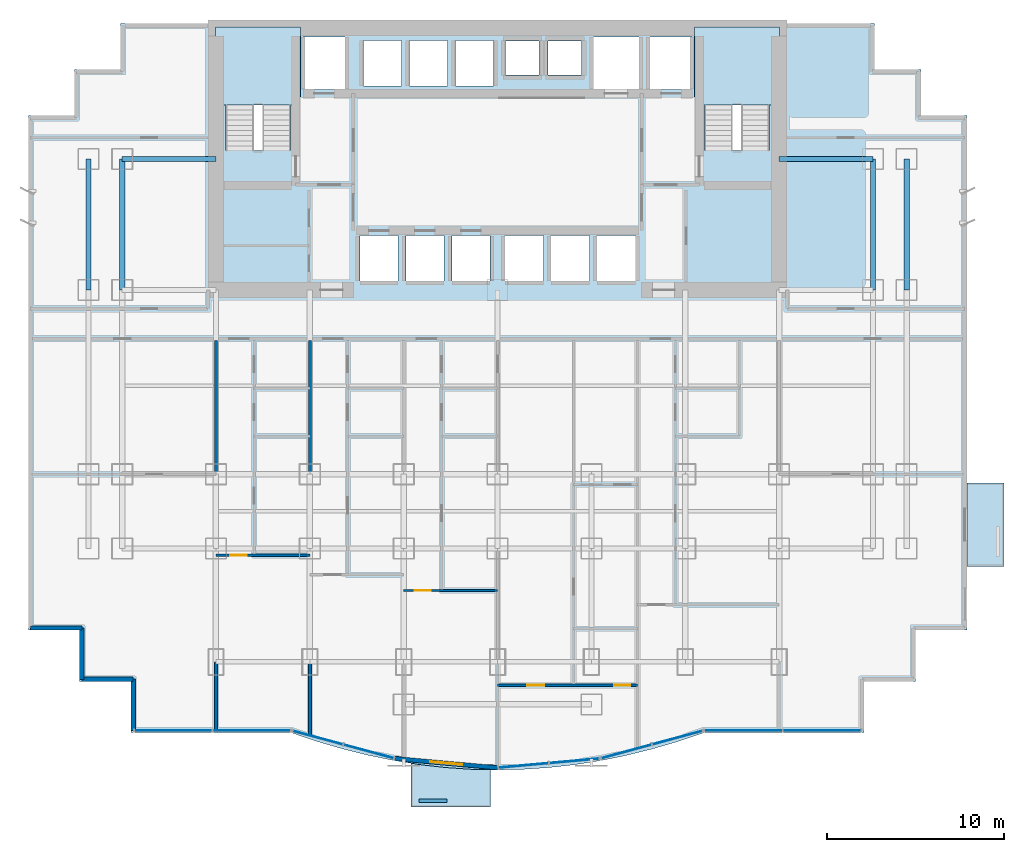
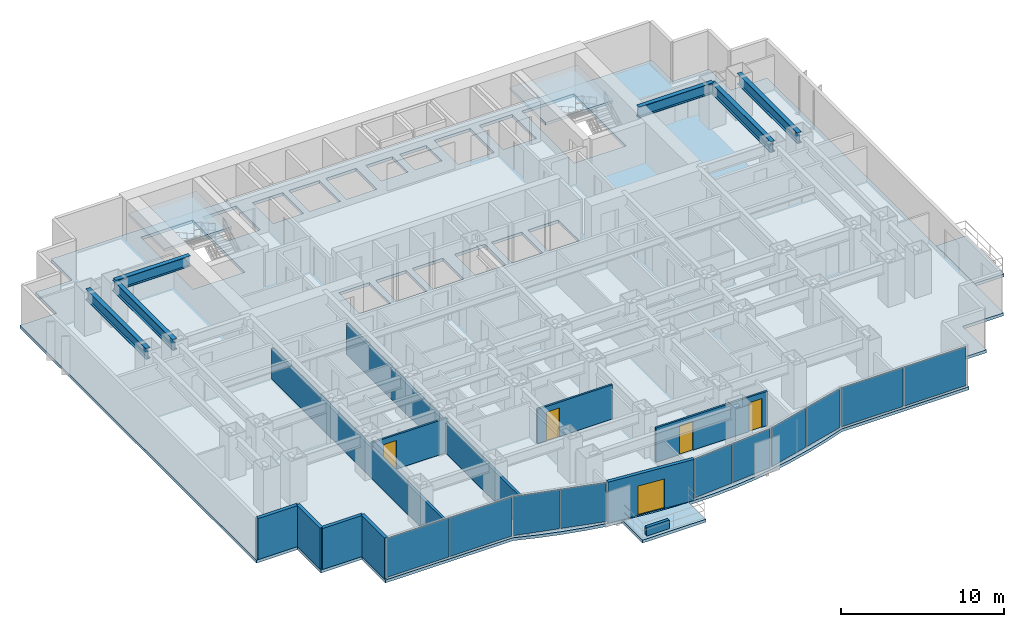
# One storey, part 4 of 10: 11 walls, 10 plates, 6 beams, 5 doors, 5 slabs, 5 openings, 7 elements without a shape of their own.
"""IFC4 building model written with IfcOpenShell, lengths in metres."""

from ifc_helpers import new_model, si_unit, direction, frame, frame_2d, origin, origin_2d, place, context, subcontext, project, spatial, polyline, rectangle, i_section, outline, extrude, source, transform, mapped, material, layer, layer_set, material_profile, profile_set, type_object, element, fill, aggregate, save


model = new_model("IFC4")

# Units and contexts
model_context = context("Model", 3, precision=1e-05, world=origin(), true_north=direction((0.0, 1.0)))
body_context = subcontext(model_context, "Body", "Model", "MODEL_VIEW")
ifc_project = project(units=[si_unit("LENGTHUNIT", "METRE"), si_unit("AREAUNIT", "SQUARE_METRE"), si_unit("VOLUMEUNIT", "CUBIC_METRE"), si_unit("PLANEANGLEUNIT", "RADIAN"), si_unit("MASSUNIT", "GRAM", prefix="KILO")], contexts=[model_context])

# Site, building, storey
site_placement = place(None, origin())
site = spatial("IfcSite", under=ifc_project, at=site_placement, CompositionType="ELEMENT")
building_placement = place(site_placement, origin())
building = spatial("IfcBuilding", under=site, at=building_placement, Name="Qianlan Lanfeng Residences", CompositionType="ELEMENT")
storey_placement = place(building_placement, frame((0.0, 0.0, 34.10009765625)))
storey = spatial("IfcBuildingStorey", under=building, at=storey_placement, Name="L08", CompositionType="ELEMENT", Elevation=34.10009765625)

# Beams
ifc_material_1 = material(Name="Steel SN490B", Category="steel")
ifc_material_profile = material_profile(ifc_material_1, i_section(OverallWidth=0.300048828125, OverallDepth=0.800048828125, WebThickness=0.01611328125, FlangeThickness=0.028076171875, at=origin_2d()), Name="H 800x300x16x28")
ifc_profile_set = profile_set([ifc_material_profile], Name="Steel SN490B")
beam_type = type_object("IfcBeamType", Name="G-950", PredefinedType="BEAM", material=ifc_profile_set)
for number, where, z_axis, x_axis, name in (
    (1, (5.300048828125, 32.60009765625, 2.679931640625), (1.0, 0.0, 0.0), (0.0, 1.0, 0.0), "Structural beam G-950"),
    (2, (42.39990234375, 32.60009765625, 2.679931640625), (1.0, 0.0, 0.0), (0.0, 1.0, 0.0), "Structural beam G-950"),
):
    element("IfcBeam", number, at=place(storey_placement, frame(where, z_axis=z_axis, x_axis=x_axis)), inside=storey, type_object=beam_type, Name=name, PredefinedType="BEAM", context=body_context, shape_type="SweptSolid", body=[
        extrude(i_section(OverallWidth=0.300048828125, OverallDepth=0.800048828125, WebThickness=0.01611328125, FlangeThickness=0.028076171875, at=origin_2d()), origin(), (0.0, 0.0, 1.0), 5.300048828125),
    ])
for number, where, z_axis, x_axis, name in (
    (3, (3.39990234375, 25.199951171875, 2.679931640625), (0.0, 1.0, 0.0), (-1.0, 0.0, 0.0), "Structural beam G-950"),
    (4, (5.300048828125, 25.199951171875, 2.679931640625), (0.0, 1.0, 0.0), (-1.0, 0.0, 0.0), "Structural beam G-950"),
    (5, (47.699951171875, 25.199951171875, 2.679931640625), (0.0, 1.0, 0.0), (-1.0, 0.0, 0.0), "Structural beam G-950"),
    (6, (49.60009765625, 25.199951171875, 2.679931640625), (0.0, 1.0, 0.0), (-1.0, 0.0, 0.0), "Structural beam G-950"),
):
    element("IfcBeam", number, at=place(storey_placement, frame(where, z_axis=z_axis, x_axis=x_axis)), inside=storey, type_object=beam_type, Name=name, PredefinedType="BEAM", context=body_context, shape_type="SweptSolid", body=[
        extrude(i_section(OverallWidth=0.300048828125, OverallDepth=0.800048828125, WebThickness=0.01611328125, FlangeThickness=0.028076171875, at=origin_2d()), origin(), (0.0, 0.0, 1.0), 7.400146484375),
    ])

# Slabs
ifc_material_2 = material(Name="Concrete C42", Category="concrete")
ifc_layer_1 = layer(ifc_material_2, 0.219970703125)
ifc_layer_set_1 = layer_set([ifc_layer_1], Name="Concrete C42")
slab_type_1 = type_object("IfcSlabType", Name="S-BAL-220", PredefinedType="FLOOR", material=ifc_layer_set_1)
slab_1_placement = place(storey_placement, frame((0.0, 0.0, -0.22021484375)))
element("IfcSlab", 7, at=slab_1_placement, inside=storey, type_object=slab_type_1, Name="L08 Planted Tree Balcony Slab SB-C", PredefinedType="FLOOR", context=body_context, shape_type="SweptSolid", body=[
    extrude(outline(polyline([(26.10009765625, -1.89111328125), (25.0439453125, -1.866943359375), (23.5869140625, -1.76904296875), (22.131103515625, -1.60498046875), (21.60009765625, -1.52099609375), (21.60009765625, -4.0), (26.10009765625, -4.0), (26.10009765625, -1.89111328125)])), origin(), (0.0, 0.0, 1.0), 0.22021484375),
])
slab_2_placement = place(storey_placement, frame((0.0, 0.0, -0.22021484375)))
element("IfcSlab", 8, at=slab_2_placement, inside=storey, type_object=slab_type_1, Name="L08 Planted Tree Balcony Slab EB-S", PredefinedType="FLOOR", context=body_context, shape_type="SweptSolid", body=[
    extrude(outline(polyline([(53.0, 14.300048828125), (53.0, 9.60009765625), (55.10009765625, 9.60009765625), (55.10009765625, 14.300048828125), (53.0, 14.300048828125)])), origin(), (0.0, 0.0, 1.0), 0.22021484375),
])
ifc_layer_2 = layer(ifc_material_2, 0.219970703125)
ifc_layer_set_2 = layer_set([ifc_layer_2], Name="Concrete C42")
slab_type_2 = type_object("IfcSlabType", Name="S-FL-220", PredefinedType="FLOOR", material=ifc_layer_set_2)
slab_3_placement = place(storey_placement, frame((0.0, 0.0, -0.22021484375)))
element("IfcSlab", 9, at=slab_3_placement, inside=storey, type_object=slab_type_2, Name="L08 Structural Floor Slab", PredefinedType="FLOOR", context=body_context, shape_type="SweptSolid", body=[
    extrude(outline(polyline([(0.0, 6.0), (2.89990234375, 6.0), (2.89990234375, 3.10009765625), (5.800048828125, 3.10009765625), (5.800048828125, 0.199951171875), (14.85009765625, 0.199951171875), (16.305908203125, -0.2919921875), (17.761962890625, -0.718994140625), (19.218994140625, -1.080078125), (20.675048828125, -1.375), (22.131103515625, -1.60498046875), (23.5869140625, -1.76904296875), (25.0439453125, -1.866943359375), (26.5, -1.89990234375), (27.9560546875, -1.866943359375), (29.412109375, -1.76904296875), (30.868896484375, -1.60498046875), (32.324951171875, -1.375), (33.781005859375, -1.080078125), (35.237060546875, -0.718994140625), (36.694091796875, -0.2919921875), (38.14990234375, 0.199951171875), (47.199951171875, 0.199951171875), (47.199951171875, 3.10009765625), (50.10009765625, 3.10009765625), (50.10009765625, 6.0), (53.0, 6.0), (53.0, 35.050048828125), (50.39990234375, 35.050048828125), (50.39990234375, 37.64990234375), (47.800048828125, 37.64990234375), (47.800048828125, 40.25), (5.199951171875, 40.25), (5.199951171875, 37.64990234375), (2.60009765625, 37.64990234375), (2.60009765625, 35.050048828125), (0.0, 35.050048828125), (0.0, 6.0)]), holes=[polyline([(11.139892578125, 33.080078125), (11.139892578125, 39.5), (14.820068359375, 39.5), (14.820068359375, 33.080078125), (11.139892578125, 33.080078125)]), polyline([(38.179931640625, 33.080078125), (38.179931640625, 39.5), (41.860107421875, 39.5), (41.860107421875, 33.080078125), (38.179931640625, 33.080078125)]), polyline([(15.52001953125, 36.52001953125), (15.52001953125, 39.47998046875), (17.8798828125, 39.47998046875), (17.8798828125, 36.52001953125), (15.52001953125, 36.52001953125)]), polyline([(35.1201171875, 36.52001953125), (35.1201171875, 39.47998046875), (37.47998046875, 39.47998046875), (37.47998046875, 36.52001953125), (35.1201171875, 36.52001953125)]), polyline([(31.919921875, 36.52001953125), (31.919921875, 39.47998046875), (34.47998046875, 39.47998046875), (34.47998046875, 36.52001953125), (31.919921875, 36.52001953125)]), polyline([(18.719970703125, 25.719970703125), (18.719970703125, 28.280029296875), (20.8798828125, 28.280029296875), (20.8798828125, 25.719970703125), (18.719970703125, 25.719970703125)]), polyline([(21.320068359375, 25.719970703125), (21.320068359375, 28.280029296875), (23.47998046875, 28.280029296875), (23.47998046875, 25.719970703125), (21.320068359375, 25.719970703125)]), polyline([(23.919921875, 25.719970703125), (23.919921875, 28.280029296875), (26.080078125, 28.280029296875), (26.080078125, 25.719970703125), (23.919921875, 25.719970703125)]), polyline([(26.919921875, 25.719970703125), (26.919921875, 28.280029296875), (29.080078125, 28.280029296875), (29.080078125, 25.719970703125), (26.919921875, 25.719970703125)]), polyline([(29.52001953125, 25.719970703125), (29.52001953125, 28.280029296875), (31.679931640625, 28.280029296875), (31.679931640625, 25.719970703125), (29.52001953125, 25.719970703125)]), polyline([(32.1201171875, 25.719970703125), (32.1201171875, 28.280029296875), (34.280029296875, 28.280029296875), (34.280029296875, 25.719970703125), (32.1201171875, 25.719970703125)]), polyline([(18.919921875, 36.719970703125), (18.919921875, 39.280029296875), (21.080078125, 39.280029296875), (21.080078125, 36.719970703125), (18.919921875, 36.719970703125)]), polyline([(21.52001953125, 36.719970703125), (21.52001953125, 39.280029296875), (23.679931640625, 39.280029296875), (23.679931640625, 36.719970703125), (21.52001953125, 36.719970703125)]), polyline([(24.1201171875, 36.719970703125), (24.1201171875, 39.280029296875), (26.280029296875, 39.280029296875), (26.280029296875, 36.719970703125), (24.1201171875, 36.719970703125)]), polyline([(26.949951171875, 37.35009765625), (26.949951171875, 39.25), (28.85009765625, 39.25), (28.85009765625, 37.35009765625), (26.949951171875, 37.35009765625)]), polyline([(29.35009765625, 37.35009765625), (29.35009765625, 39.25), (31.25, 39.25), (31.25, 37.35009765625), (29.35009765625, 37.35009765625)])]), origin(), (0.0, 0.0, 1.0), 0.22021484375),
])

# Stair, slab
stair_type = type_object("IfcStairType", Name="STR-MAIN", PredefinedType="HALF_TURN_STAIR", material=ifc_material_2)
stair_1_placement = place(storey_placement, origin())
stair_1 = element("IfcStair", 10, at=stair_1_placement, inside=storey, type_object=stair_type, Name="L08 Exit Stair ST-1", PredefinedType="HALF_TURN_STAIR")
ifc_layer_3 = layer(ifc_material_2, 0.179931640625)
ifc_layer_set_3 = layer_set([ifc_layer_3], Name="Concrete C42")
slab_type_3 = type_object("IfcSlabType", Name="S-LND-180", PredefinedType="LANDING", material=ifc_layer_set_3)
slab_4_placement = place(storey_placement, frame((0.0, 0.0, 1.449951171875)))
slab_4 = element("IfcSlab", 11, at=slab_4_placement, type_object=slab_type_3, Name="ST-1 landing 1", PredefinedType="LANDING", context=body_context, shape_type="SweptSolid", body=[
    extrude(outline(polyline([(10.580078125, 35.659912109375), (15.3798828125, 35.659912109375), (15.3798828125, 40.050048828125), (10.580078125, 40.050048828125), (10.580078125, 35.659912109375)])), origin(), (0.0, 0.0, 1.0), 0.199951171875),
])
aggregate(stair_1, [slab_4])

stair_2_placement = place(storey_placement, origin())
stair_2 = element("IfcStair", 12, at=stair_2_placement, inside=storey, type_object=stair_type, Name="L08 Exit Stair ST-2", PredefinedType="HALF_TURN_STAIR")
slab_5_placement = place(storey_placement, frame((0.0, 0.0, 1.449951171875)))
slab_5 = element("IfcSlab", 13, at=slab_5_placement, type_object=slab_type_3, Name="ST-2 landing 1", PredefinedType="LANDING", context=body_context, shape_type="SweptSolid", body=[
    extrude(outline(polyline([(37.6201171875, 35.659912109375), (42.419921875, 35.659912109375), (42.419921875, 40.050048828125), (37.6201171875, 40.050048828125), (37.6201171875, 35.659912109375)])), origin(), (0.0, 0.0, 1.0), 0.199951171875),
])
aggregate(stair_2, [slab_5])

# Curtain wall, plate
ifc_material_3 = material(Name="Anodised Bronze Aluminium 6063-T6", Category="aluminium")
ifc_layer_4 = layer(ifc_material_3, 0.219970703125)
ifc_layer_set_4 = layer_set([ifc_layer_4], Name="Anodised Bronze Aluminium 6063-T6")
curtain_wall_type = type_object("IfcCurtainWallType", Name="CW-02", PredefinedType="NOTDEFINED", material=ifc_layer_set_4)
curtain_wall_1_placement = place(storey_placement, origin())
curtain_wall_1 = element("IfcCurtainWall", 14, at=curtain_wall_1_placement, inside=storey, type_object=curtain_wall_type, Name="L08 Unitised Curtain Wall CWR-L08-02 (CW-02)", PredefinedType="NOTDEFINED")
ifc_material_4 = material(Name="Dark Bronze Tinted Insulated Glass", Category="glass")
ifc_layer_5 = layer(ifc_material_4, 0.0380859375)
ifc_layer_set_5 = layer_set([ifc_layer_5], Name="Dark Bronze Tinted Insulated Glass")
plate_type_1 = type_object("IfcPlateType", Name="PNL-GLZ-BRZ", PredefinedType="CURTAIN_PANEL", material=ifc_layer_set_5)
shared_shape_1 = source(origin(), body_context, "Body", "SweptSolid", [
    extrude(rectangle(XDim=2.89990234375, YDim=0.0380859375, at=origin_2d()), origin(), (0.0, 0.0, 1.0), 2.922119140625),
])
plate_1_placement = place(storey_placement, frame((16.345703125, -0.07958984375, 0.07861328125), z_axis=(0.0, 0.0, 1.0), x_axis=(0.9652627173, -0.261281240412, 0.0)))
plate_1 = element("IfcPlate", 15, at=plate_1_placement, type_object=plate_type_1, Name="CWR-L08-02 Curtain Panel 1", PredefinedType="CURTAIN_PANEL", context=body_context, shape_type="MappedRepresentation", body=[
    mapped(shared_shape_1, transform((0.0, 0.0, 0.0), scale=1.0)),
])

curtain_wall_2_placement = place(storey_placement, origin())
curtain_wall_2 = element("IfcCurtainWall", 16, at=curtain_wall_2_placement, inside=storey, type_object=curtain_wall_type, Name="L08 Unitised Curtain Wall CWR-L08-04 (CW-02)", PredefinedType="NOTDEFINED")
plate_2_placement = place(storey_placement, frame((33.77978515625, -0.857421875, 0.07861328125), z_axis=(0.0, 0.0, 1.0), x_axis=(0.9652627173, 0.261281240412, 0.0)))
plate_2 = element("IfcPlate", 17, at=plate_2_placement, type_object=plate_type_1, Name="CWR-L08-04 Curtain Panel 1", PredefinedType="CURTAIN_PANEL", context=body_context, shape_type="MappedRepresentation", body=[
    mapped(shared_shape_1, transform((0.0, 0.0, 0.0), scale=1.0)),
])

# Curtain wall, plates
curtain_wall_3_placement = place(storey_placement, origin())
curtain_wall_3 = element("IfcCurtainWall", 18, at=curtain_wall_3_placement, inside=storey, type_object=curtain_wall_type, Name="L08 Unitised Curtain Wall CWR-L08-03 (CW-02)", PredefinedType="NOTDEFINED")
shared_shape_2 = source(origin(), body_context, "Body", "SweptSolid", [
    extrude(rectangle(XDim=2.7958984375, YDim=0.0380859375, at=origin_2d()), origin(), (0.0, 0.0, 1.0), 2.922119140625),
])
plate_3_placement = place(storey_placement, frame((27.970947265625, -1.6474609375, 0.07861328125), z_axis=(0.0, 0.0, 1.0), x_axis=(0.995964677764, 0.089746089862, 0.0)))
plate_3 = element("IfcPlate", 19, at=plate_3_placement, type_object=plate_type_1, Name="CWR-L08-03 Curtain Panel 1", PredefinedType="CURTAIN_PANEL", context=body_context, shape_type="MappedRepresentation", body=[
    mapped(shared_shape_2, transform((0.0, 0.0, 0.0), scale=1.0)),
])
shared_shape_3 = source(origin(), body_context, "Body", "SweptSolid", [
    extrude(rectangle(XDim=2.795654296875, YDim=0.0380859375, at=origin_2d()), origin(), (0.0, 0.0, 1.0), 2.922119140625),
])
plate_4_placement = place(storey_placement, frame((30.8330078125, -1.389404296875, 0.07861328125), z_axis=(0.0, 0.0, 1.0), x_axis=(0.995964677764, 0.089746089862, 0.0)))
plate_4 = element("IfcPlate", 20, at=plate_4_placement, type_object=plate_type_1, Name="CWR-L08-03 Curtain Panel 2", PredefinedType="CURTAIN_PANEL", context=body_context, shape_type="MappedRepresentation", body=[
    mapped(shared_shape_3, transform((0.0, 0.0, 0.0), scale=1.0)),
])
aggregate(curtain_wall_3, [plate_3, plate_4])

curtain_wall_4_placement = place(storey_placement, origin())
curtain_wall_4 = element("IfcCurtainWall", 21, at=curtain_wall_4_placement, inside=storey, type_object=curtain_wall_type, Name="L08 Unitised Curtain Wall CWR-L08-01 (CW-02)", PredefinedType="NOTDEFINED")
shared_shape_4 = source(origin(), body_context, "Body", "SweptSolid", [
    extrude(rectangle(XDim=4.35693359375, YDim=0.0380859375, at=origin_2d()), origin(), (0.0, 0.0, 1.0), 2.922119140625),
])
plate_5_placement = place(storey_placement, frame((8.177490234375, 0.320068359375, 0.07861328125), z_axis=(0.0, 0.0, 1.0), x_axis=(1.0, 0.0, 0.0)))
plate_5 = element("IfcPlate", 22, at=plate_5_placement, type_object=plate_type_1, Name="CWR-L08-01 Curtain Panel 1", PredefinedType="CURTAIN_PANEL", context=body_context, shape_type="MappedRepresentation", body=[
    mapped(shared_shape_4, transform((0.0, 0.0, 0.0), scale=1.0)),
])
plate_6_placement = place(storey_placement, frame((12.612548828125, 0.320068359375, 0.07861328125), z_axis=(0.0, 0.0, 1.0), x_axis=(1.0, 0.0, 0.0)))
plate_6 = element("IfcPlate", 23, at=plate_6_placement, type_object=plate_type_1, Name="CWR-L08-01 Curtain Panel 2", PredefinedType="CURTAIN_PANEL", context=body_context, shape_type="MappedRepresentation", body=[
    mapped(shared_shape_4, transform((0.0, 0.0, 0.0), scale=1.0)),
])
aggregate(curtain_wall_4, [plate_5, plate_6])

curtain_wall_5_placement = place(storey_placement, origin())
curtain_wall_5 = element("IfcCurtainWall", 24, at=curtain_wall_5_placement, inside=storey, type_object=curtain_wall_type, Name="L08 Unitised Curtain Wall CWR-L08-05 (CW-02)", PredefinedType="NOTDEFINED")
plate_7_placement = place(storey_placement, frame((40.387451171875, 0.320068359375, 0.07861328125), z_axis=(0.0, 0.0, 1.0), x_axis=(1.0, 0.0, 0.0)))
plate_7 = element("IfcPlate", 25, at=plate_7_placement, type_object=plate_type_1, Name="CWR-L08-05 Curtain Panel 1", PredefinedType="CURTAIN_PANEL", context=body_context, shape_type="MappedRepresentation", body=[
    mapped(shared_shape_4, transform((0.0, 0.0, 0.0), scale=1.0)),
])
plate_8_placement = place(storey_placement, frame((44.822509765625, 0.320068359375, 0.07861328125), z_axis=(0.0, 0.0, 1.0), x_axis=(1.0, 0.0, 0.0)))
plate_8 = element("IfcPlate", 26, at=plate_8_placement, type_object=plate_type_1, Name="CWR-L08-05 Curtain Panel 2", PredefinedType="CURTAIN_PANEL", context=body_context, shape_type="MappedRepresentation", body=[
    mapped(shared_shape_4, transform((0.0, 0.0, 0.0), scale=1.0)),
])
aggregate(curtain_wall_5, [plate_7, plate_8])

# Plate
ifc_material_5 = material(Name="Perforated Champagne Gold Aluminium Panel", Category="aluminium")
ifc_layer_6 = layer(ifc_material_5, 0.0400390625)
ifc_layer_set_6 = layer_set([ifc_layer_6], Name="Perforated Champagne Gold Aluminium Panel")
plate_type_2 = type_object("IfcPlateType", Name="PNL-PRF-GLD", PredefinedType="CURTAIN_PANEL", material=ifc_layer_set_6)
shared_shape_5 = source(origin(), body_context, "Body", "SweptSolid", [
    extrude(rectangle(XDim=2.89990234375, YDim=0.0400390625, at=origin_2d()), origin(), (0.0, 0.0, 1.0), 2.922119140625),
])
plate_9_placement = place(storey_placement, frame((19.22021484375, -0.857421875, 0.07861328125), z_axis=(0.0, 0.0, 1.0), x_axis=(0.9652627173, -0.261281240412, 0.0)))
plate_9 = element("IfcPlate", 27, at=plate_9_placement, type_object=plate_type_2, Name="CWR-L08-02 Curtain Panel 2", PredefinedType="CURTAIN_PANEL", context=body_context, shape_type="MappedRepresentation", body=[
    mapped(shared_shape_5, transform((0.0, 0.0, 0.0), scale=1.0)),
])

aggregate(curtain_wall_1, [plate_1, plate_9])

plate_10_placement = place(storey_placement, frame((36.654296875, -0.07958984375, 0.07861328125), z_axis=(0.0, 0.0, 1.0), x_axis=(0.9652627173, 0.261281240412, 0.0)))
plate_10 = element("IfcPlate", 28, at=plate_10_placement, type_object=plate_type_2, Name="CWR-L08-04 Curtain Panel 2", PredefinedType="CURTAIN_PANEL", context=body_context, shape_type="MappedRepresentation", body=[
    mapped(shared_shape_5, transform((0.0, 0.0, 0.0), scale=1.0)),
])

aggregate(curtain_wall_2, [plate_2, plate_10])

# Walls
ifc_layer_7 = layer(ifc_material_2, 0.239990234375)
ifc_layer_set_7 = layer_set([ifc_layer_7], Name="Concrete C42")
wall_type_1 = type_object("IfcWallType", Name="EW-240", PredefinedType="SOLIDWALL", material=ifc_layer_set_7)
wall_1_placement = place(storey_placement, frame((0.1201171875, 6.1201171875, 0.0), z_axis=(0.0, 0.0, 1.0), x_axis=(1.0, 0.0, 0.0)))
element("IfcWall", 29, at=wall_1_placement, inside=storey, type_object=wall_type_1, Name="L08 Exterior Facade Spandrel Wall 1", PredefinedType="SOLIDWALL", context=body_context, shape_type="SweptSolid", body=[
    extrude(rectangle(XDim=2.89990234375, YDim=0.239990234375, at=frame_2d((1.449951171875, 0.0))), origin(), (0.0, 0.0, 1.0), 3.079833984375),
])
wall_2_placement = place(storey_placement, frame((3.02001953125, 6.1201171875, 0.0), z_axis=(0.0, 0.0, 1.0), x_axis=(0.0, -1.0, 0.0)))
element("IfcWall", 30, at=wall_2_placement, inside=storey, type_object=wall_type_1, Name="L08 Exterior Facade Spandrel Wall 2", PredefinedType="SOLIDWALL", context=body_context, shape_type="SweptSolid", body=[
    extrude(rectangle(XDim=2.900146484375, YDim=0.239990234375, at=frame_2d((1.4501953125, 0.0))), origin(), (0.0, 0.0, 1.0), 3.079833984375),
])
for number, where, z_axis, x_axis, name in (
    (31, (3.02001953125, 3.219970703125, 0.0), (0.0, 0.0, 1.0), (1.0, 0.0, 0.0), "L08 Exterior Facade Spandrel Wall 3"),
    (32, (5.919921875, 3.219970703125, 0.0), (0.0, 0.0, 1.0), (0.0, -1.0, 0.0), "L08 Exterior Facade Spandrel Wall 4"),
):
    element("IfcWall", number, at=place(storey_placement, frame(where, z_axis=z_axis, x_axis=x_axis)), inside=storey, type_object=wall_type_1, Name=name, PredefinedType="SOLIDWALL", context=body_context, shape_type="SweptSolid", body=[
        extrude(rectangle(XDim=2.89990234375, YDim=0.239990234375, at=frame_2d((1.449951171875, 0.0))), origin(), (0.0, 0.0, 1.0), 3.079833984375),
    ])

# Wall, opening, door
wall_3_placement = place(storey_placement, frame((20.696044921875, -1.257080078125, 0.0), z_axis=(0.0, 0.0, 1.0), x_axis=(0.995965344947, -0.089738685436, 0.0)))
wall_3 = element("IfcWall", 33, at=wall_3_placement, inside=storey, type_object=wall_type_1, Name="L08 Terrace/Balcony Access Exterior Wall 5", PredefinedType="SOLIDWALL", context=body_context, shape_type="SweptSolid", body=[
    extrude(rectangle(XDim=5.827392578125, YDim=0.239990234375, at=frame_2d((2.91357421875, 0.0))), origin(), (0.0, 0.0, 1.0), 3.079833984375),
])
opening_1_placement = place(wall_3_placement, frame((2.013916015625, 0.0, 0.0)))
opening_1 = element("IfcOpeningElement", 34, at=opening_1_placement, cuts=wall_3, Name="Opening L08-D-SB-C", PredefinedType="OPENING", context=body_context, shape_type="SweptSolid", body=[
    extrude(rectangle(XDim=1.800048828125, YDim=2.199951171875, at=frame_2d((0.89990234375, 1.10009765625))), frame((0.0, 0.1298828125, 0.0), z_axis=(0.0, -1.0, 0.0), x_axis=(1.0, 0.0, 0.0)), (0.0, 0.0, 1.0), 0.260009765625),
])
ifc_material_6 = material(Name="Anodised Bronze Aluminium Framed Glass", Category="aluminium")
door_type_1 = type_object("IfcDoorType", Name="DT-BAL1", OperationType="NOTDEFINED", PredefinedType="DOOR", material=ifc_material_6)
door_1_placement = place(opening_1_placement, frame((1.800048828125, 0.0, 0.0), z_axis=(0.0, 0.0, 1.0), x_axis=(-1.0, 0.0, 0.0)))
door_1 = element("IfcDoor", 35, at=door_1_placement, inside=storey, type_object=door_type_1, Name="L08 Exterior Access Door SB-C", OperationType="DOUBLE_DOOR_SLIDING", OverallHeight=2.199951171875, OverallWidth=1.800048828125, PredefinedType="DOOR", context=body_context, shape_type="SweptSolid", body=[
    extrude(rectangle(XDim=1.800048828125, YDim=2.199951171875, at=frame_2d((0.89990234375, 1.10009765625))), frame((0.0, 0.02490234375, 0.0), z_axis=(0.0, -1.0, 0.0), x_axis=(1.0, 0.0, 0.0)), (0.0, 0.0, 1.0), 0.050048828125),
])
fill(opening_1, door_1)

# Wall
ifc_layer_8 = layer(ifc_material_2, 0.199951171875)
ifc_layer_set_8 = layer_set([ifc_layer_8], Name="Concrete C42")
wall_type_2 = type_object("IfcWallType", Name="PL-TREE-200", PredefinedType="PARAPET", material=ifc_layer_set_8)
wall_4_placement = place(storey_placement, frame((22.050048828125, -3.64990234375, 0.0), z_axis=(0.0, 0.0, 1.0), x_axis=(1.0, 0.0, 0.0)))
element("IfcWall", 36, at=wall_4_placement, inside=storey, type_object=wall_type_2, Name="L08 Balcony Tree Planter Curb SB-C", PredefinedType="PARAPET", context=body_context, shape_type="SweptSolid", body=[
    extrude(rectangle(XDim=1.599853515625, YDim=0.199951171875, at=frame_2d((0.7998046875, 0.0))), origin(), (0.0, 0.0, 1.0), 0.64990234375),
])

# Wall, opening, door
ifc_material_7 = material(Name="Moisture-Resistant Gypsum Partition 135 mm")
ifc_layer_9 = layer(ifc_material_7, 0.135009765625)
ifc_layer_set_9 = layer_set([ifc_layer_9], Name="Moisture-Resistant Gypsum Partition 135 mm")
wall_type_3 = type_object("IfcWallType", Name="PW-135", PredefinedType="PARTITIONING", material=ifc_layer_set_9)
wall_5_placement = place(storey_placement, frame((10.60009765625, 10.219970703125, 0.0), z_axis=(0.0, 0.0, 1.0), x_axis=(1.0, 0.0, 0.0)))
wall_5 = element("IfcWall", 37, at=wall_5_placement, inside=storey, type_object=wall_type_3, Name="L08 U01 Living Divider", PredefinedType="PARTITIONING", context=body_context, shape_type="SweptSolid", body=[
    extrude(rectangle(XDim=5.2998046875, YDim=0.135009765625, at=frame_2d((2.64990234375, 0.0))), origin(), (0.0, 0.0, 1.0), 2.56982421875),
])
opening_2_placement = place(wall_5_placement, frame((0.81494140625, 0.0, 0.0)))
opening_2 = element("IfcOpeningElement", 38, at=opening_2_placement, cuts=wall_5, Name="Opening L08-D15", PredefinedType="OPENING", context=body_context, shape_type="SweptSolid", body=[
    extrude(rectangle(XDim=0.919921875, YDim=2.14990234375, at=frame_2d((0.4599609375, 1.074951171875))), frame((0.0, 0.07763671875, 0.0), z_axis=(0.0, -1.0, 0.0), x_axis=(1.0, 0.0, 0.0)), (0.0, 0.0, 1.0), 0.155029296875),
])
ifc_material_8 = material(Name="Glazed Timber Kitchen/Study Door", Category="wood")
door_type_2 = type_object("IfcDoorType", Name="DT-INT", OperationType="NOTDEFINED", PredefinedType="DOOR", material=ifc_material_8)
door_2_placement = place(opening_2_placement, frame((0.919921875, 0.0, 0.0), z_axis=(0.0, 0.0, 1.0), x_axis=(-1.0, 0.0, 0.0)))
door_2 = element("IfcDoor", 39, at=door_2_placement, inside=storey, type_object=door_type_2, Name="L08 U01 Living Passage Door L08-D15 (DT-INT)", OperationType="SINGLE_SWING_LEFT", OverallHeight=2.14990234375, OverallWidth=0.919921875, PredefinedType="DOOR", context=body_context, shape_type="SweptSolid", body=[
    extrude(rectangle(XDim=0.919921875, YDim=2.14990234375, at=frame_2d((0.4599609375, 1.074951171875))), frame((0.0, 0.02490234375, 0.0), z_axis=(0.0, -1.0, 0.0), x_axis=(1.0, 0.0, 0.0)), (0.0, 0.0, 1.0), 0.050048828125),
])
fill(opening_2, door_2)

wall_6_placement = place(storey_placement, frame((21.199951171875, 8.23388671875, 0.0), z_axis=(0.0, 0.0, 1.0), x_axis=(1.0, 0.0, 0.0)))
wall_6 = element("IfcWall", 40, at=wall_6_placement, inside=storey, type_object=wall_type_3, Name="L08 U03 Living Divider", PredefinedType="PARTITIONING", context=body_context, shape_type="SweptSolid", body=[
    extrude(rectangle(XDim=5.300048828125, YDim=0.135009765625, at=frame_2d((2.64990234375, 0.0))), origin(), (0.0, 0.0, 1.0), 2.56982421875),
])
opening_3_placement = place(wall_6_placement, frame((0.614990234375, 0.0, 0.0)))
opening_3 = element("IfcOpeningElement", 41, at=opening_3_placement, cuts=wall_6, Name="Opening L08-D26", PredefinedType="OPENING", context=body_context, shape_type="SweptSolid", body=[
    extrude(rectangle(XDim=0.919921875, YDim=2.14990234375, at=frame_2d((0.4599609375, 1.074951171875))), frame((0.0, 0.07763671875, 0.0), z_axis=(0.0, -1.0, 0.0), x_axis=(1.0, 0.0, 0.0)), (0.0, 0.0, 1.0), 0.155029296875),
])
door_3_placement = place(opening_3_placement, frame((0.919921875, 0.0, 0.0), z_axis=(0.0, 0.0, 1.0), x_axis=(-1.0, 0.0, 0.0)))
door_3 = element("IfcDoor", 42, at=door_3_placement, inside=storey, type_object=door_type_2, Name="L08 U03 Living Passage Door L08-D26 (DT-INT)", OperationType="SINGLE_SWING_RIGHT", OverallHeight=2.14990234375, OverallWidth=0.919921875, PredefinedType="DOOR", context=body_context, shape_type="SweptSolid", body=[
    extrude(rectangle(XDim=0.919921875, YDim=2.14990234375, at=frame_2d((0.4599609375, 1.074951171875))), frame((0.0, 0.02490234375, 0.0), z_axis=(0.0, -1.0, 0.0), x_axis=(1.0, 0.0, 0.0)), (0.0, 0.0, 1.0), 0.050048828125),
])
fill(opening_3, door_3)

# Wall, openings, doors
wall_7_placement = place(storey_placement, frame((26.5, 2.873046875, 0.0), z_axis=(0.0, 0.0, 1.0), x_axis=(1.0, 0.0, 0.0)))
wall_7 = element("IfcWall", 43, at=wall_7_placement, inside=storey, type_object=wall_type_3, Name="L08 U03 Master Bedroom North Wall", PredefinedType="PARTITIONING", context=body_context, shape_type="SweptSolid", body=[
    extrude(rectangle(XDim=7.89990234375, YDim=0.135009765625, at=frame_2d((3.949951171875, 0.0))), origin(), (0.0, 0.0, 1.0), 2.56982421875),
])
opening_4_placement = place(wall_7_placement, frame((1.675048828125, 0.0, 0.0)))
opening_4 = element("IfcOpeningElement", 44, at=opening_4_placement, cuts=wall_7, Name="Opening L08-D30", PredefinedType="OPENING", context=body_context, shape_type="SweptSolid", body=[
    extrude(rectangle(XDim=0.949951171875, YDim=2.14990234375, at=frame_2d((0.47509765625, 1.074951171875))), frame((0.0, 0.07763671875, 0.0), z_axis=(0.0, -1.0, 0.0), x_axis=(1.0, 0.0, 0.0)), (0.0, 0.0, 1.0), 0.155029296875),
])
opening_5_placement = place(wall_7_placement, frame((6.60009765625, 0.0, 0.0)))
opening_5 = element("IfcOpeningElement", 45, at=opening_5_placement, cuts=wall_7, Name="Opening L08-D31", PredefinedType="OPENING", context=body_context, shape_type="SweptSolid", body=[
    extrude(rectangle(XDim=0.89990234375, YDim=2.14990234375, at=frame_2d((0.449951171875, 1.074951171875))), frame((0.0, 0.07763671875, 0.0), z_axis=(0.0, -1.0, 0.0), x_axis=(1.0, 0.0, 0.0)), (0.0, 0.0, 1.0), 0.155029296875),
])
ifc_material_9 = material(Name="Painted Solid-Core Timber Leaf", Category="wood")
door_type_3 = type_object("IfcDoorType", Name="DT-BED", OperationType="NOTDEFINED", PredefinedType="DOOR", material=ifc_material_9)
door_4_placement = place(opening_4_placement, origin())
door_4 = element("IfcDoor", 46, at=door_4_placement, inside=storey, type_object=door_type_3, Name="L08 U03 Master Bedroom Door L08-D30 (DT-BED)", OperationType="SINGLE_SWING_RIGHT", OverallHeight=2.14990234375, OverallWidth=0.949951171875, PredefinedType="DOOR", context=body_context, shape_type="SweptSolid", body=[
    extrude(rectangle(XDim=0.949951171875, YDim=2.14990234375, at=frame_2d((0.47509765625, 1.074951171875))), frame((0.0, 0.02490234375, 0.0), z_axis=(0.0, -1.0, 0.0), x_axis=(1.0, 0.0, 0.0)), (0.0, 0.0, 1.0), 0.050048828125),
])
fill(opening_4, door_4)
ifc_material_10 = material(Name="Moisture-Resistant Timber Leaf", Category="wood")
door_type_4 = type_object("IfcDoorType", Name="DT-WC", OperationType="NOTDEFINED", PredefinedType="DOOR", material=ifc_material_10)
door_5_placement = place(opening_5_placement, origin())
door_5 = element("IfcDoor", 47, at=door_5_placement, inside=storey, type_object=door_type_4, Name="L08 U03 En-Suite Bathroom Door L08-D31 (DT-WC)", OperationType="SINGLE_SWING_LEFT", OverallHeight=2.14990234375, OverallWidth=0.89990234375, PredefinedType="DOOR", context=body_context, shape_type="SweptSolid", body=[
    extrude(rectangle(XDim=0.89990234375, YDim=2.14990234375, at=frame_2d((0.449951171875, 1.074951171875))), frame((0.0, 0.02490234375, 0.0), z_axis=(0.0, -1.0, 0.0), x_axis=(1.0, 0.0, 0.0)), (0.0, 0.0, 1.0), 0.050048828125),
])
fill(opening_5, door_5)

# Walls
ifc_material_11 = material(Name="Double-Layer Acoustic Gypsum Stud Wall 180 mm")
ifc_layer_10 = layer(ifc_material_11, 0.179931640625)
ifc_layer_set_10 = layer_set([ifc_layer_10], Name="Double-Layer Acoustic Gypsum Stud Wall 180 mm")
wall_type_4 = type_object("IfcWallType", Name="PW-180", PredefinedType="PARTITIONING", material=ifc_layer_set_10)
wall_8_placement = place(storey_placement, frame((10.60009765625, 0.419921875, 0.0), z_axis=(0.0, 0.0, 1.0), x_axis=(0.0, 1.0, 0.0)))
element("IfcWall", 48, at=wall_8_placement, inside=storey, type_object=wall_type_4, Name="L08 Wing Boundary Party Wall W0", PredefinedType="PARTITIONING", context=body_context, shape_type="SweptSolid", body=[
    extrude(rectangle(XDim=21.93017578125, YDim=0.179931640625, at=frame_2d((10.965087890625, 0.0))), origin(), (0.0, 0.0, 1.0), 2.27490234375),
])
wall_9_placement = place(storey_placement, frame((15.89990234375, 0.076904296875, 0.0), z_axis=(0.0, 0.0, 1.0), x_axis=(0.0, 1.0, 0.0)))
element("IfcWall", 49, at=wall_9_placement, inside=storey, type_object=wall_type_4, Name="L08 Inter-Tenancy Party Wall 2", PredefinedType="PARTITIONING", context=body_context, shape_type="SweptSolid", body=[
    extrude(rectangle(XDim=22.273193359375, YDim=0.179931640625, at=frame_2d((11.13671875, 0.0))), origin(), (0.0, 0.0, 1.0), 2.27490234375),
])

save(model, "model.ifc")
